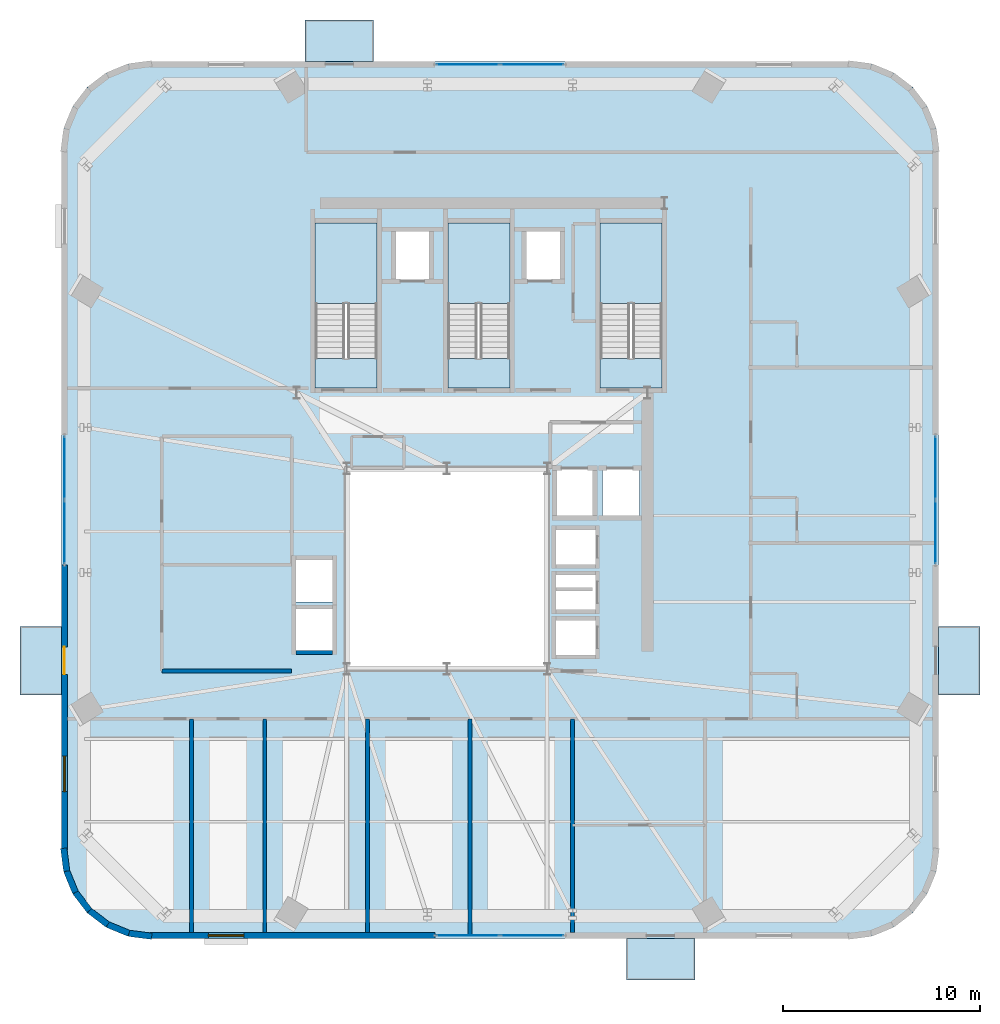
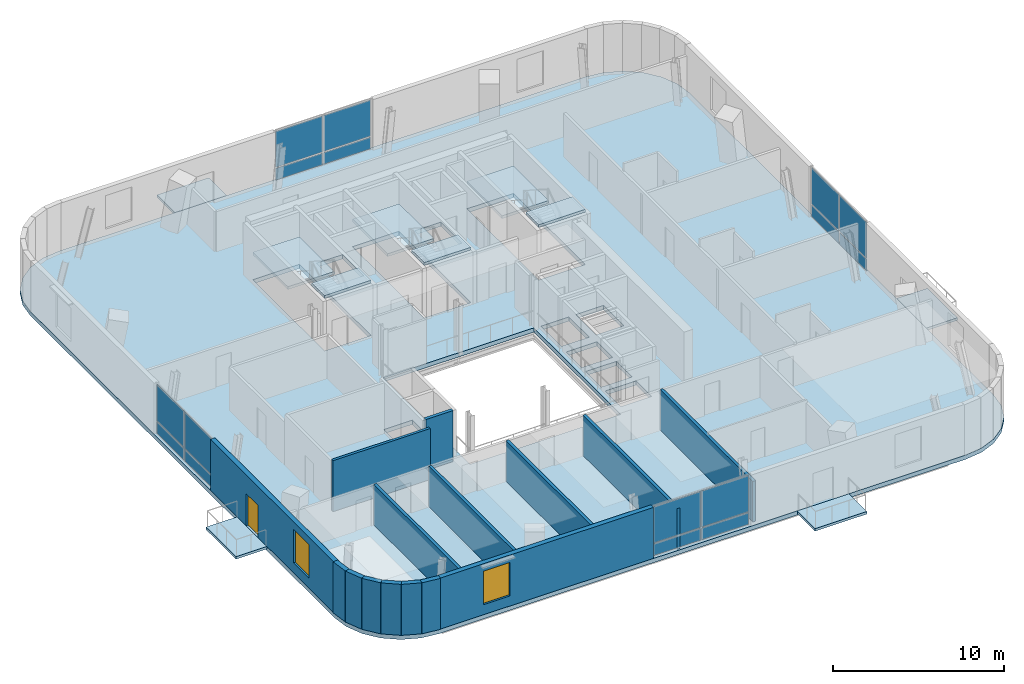
# One storey, part 7 of 15: 16 plates, 15 walls, 11 slabs, 2 windows, 1 door, 3 openings, 7 elements without a shape of their own.
"""IFC4 building model written with IfcOpenShell, lengths in metres."""

from ifc_helpers import new_model, si_unit, direction, frame, frame_2d, origin, origin_2d, place, context, subcontext, project, spatial, polyline, rectangle, outline, extrude, source, transform, mapped, material, layer, layer_set, type_object, element, fill, aggregate, save


model = new_model("IFC4")

# Units and contexts
model_context = context("Model", 3, precision=1e-05, world=origin(), true_north=direction((0.0, 1.0)))
body_context = subcontext(model_context, "Body", "Model", "MODEL_VIEW")
ifc_project = project(units=[si_unit("LENGTHUNIT", "METRE"), si_unit("AREAUNIT", "SQUARE_METRE"), si_unit("VOLUMEUNIT", "CUBIC_METRE"), si_unit("PLANEANGLEUNIT", "RADIAN"), si_unit("MASSUNIT", "GRAM", prefix="KILO")], contexts=[model_context])

# Site, building, storey
site_placement = place(None, origin())
site = spatial("IfcSite", under=ifc_project, at=site_placement, CompositionType="ELEMENT")
building_placement = place(site_placement, origin())
building = spatial("IfcBuilding", under=site, at=building_placement, Name="Vardaveli Station Tower", CompositionType="ELEMENT")
storey_placement = place(building_placement, frame((0.0, 0.0, 262.449951171875)))
storey = spatial("IfcBuildingStorey", under=building, at=storey_placement, Name="L67", CompositionType="ELEMENT", Elevation=262.449951171875)

# Stair, slabs
ifc_material_1 = material(Name="Concrete C40/50", Category="concrete")
stair_type = type_object("IfcStairType", Name="STR-CORE-1500", PredefinedType="HALF_TURN_STAIR", material=ifc_material_1)
stair_1_placement = place(storey_placement, origin())
stair_1 = element("IfcStair", 1, at=stair_1_placement, inside=storey, type_object=stair_type, Name="L67 ST-1", PredefinedType="HALF_TURN_STAIR")
ifc_layer_1 = layer(ifc_material_1, 0.199951171875, Name="Concrete C40/50")
ifc_layer_set_1 = layer_set([ifc_layer_1], Name="Concrete C40/50")
slab_type_1 = type_object("IfcSlabType", Name="SLB-LAND-200", PredefinedType="LANDING", material=ifc_layer_set_1)
slab_1_placement = place(storey_placement, frame((0.0, 0.0, 1.775146484375)))
slab_1 = element("IfcSlab", 2, at=slab_1_placement, type_object=slab_type_1, Name="ST-1 landing 1", PredefinedType="LANDING", context=body_context, shape_type="SweptSolid", body=[
    extrude(outline(polyline([(32.75, 35.199951171875), (32.75, 39.300048828125), (29.60009765625, 39.300048828125), (29.60009765625, 35.199951171875), (32.75, 35.199951171875)])), origin(), (0.0, 0.0, 1.0), 0.199951171875),
])
slab_2_placement = place(storey_placement, frame((0.0, 0.0, 3.75)))
slab_2 = element("IfcSlab", 3, at=slab_2_placement, type_object=slab_type_1, Name="ST-1 landing 2", PredefinedType="LANDING", context=body_context, shape_type="SweptSolid", body=[
    extrude(outline(polyline([(32.75, 30.89990234375), (32.75, 32.39990234375), (29.60009765625, 32.39990234375), (29.60009765625, 30.89990234375), (32.75, 30.89990234375)])), origin(), (0.0, 0.0, 1.0), 0.199951171875),
])
aggregate(stair_1, [slab_1, slab_2])

stair_2_placement = place(storey_placement, origin())
stair_2 = element("IfcStair", 4, at=stair_2_placement, inside=storey, type_object=stair_type, Name="L67 ST-2", PredefinedType="HALF_TURN_STAIR")
slab_3_placement = place(storey_placement, frame((0.0, 0.0, 1.775146484375)))
slab_3 = element("IfcSlab", 5, at=slab_3_placement, type_object=slab_type_1, Name="ST-2 landing 1", PredefinedType="LANDING", context=body_context, shape_type="SweptSolid", body=[
    extrude(outline(polyline([(39.5, 35.199951171875), (39.5, 39.300048828125), (36.35009765625, 39.300048828125), (36.35009765625, 35.199951171875), (39.5, 35.199951171875)])), origin(), (0.0, 0.0, 1.0), 0.199951171875),
])
slab_4_placement = place(storey_placement, frame((0.0, 0.0, 3.75)))
slab_4 = element("IfcSlab", 6, at=slab_4_placement, type_object=slab_type_1, Name="ST-2 landing 2", PredefinedType="LANDING", context=body_context, shape_type="SweptSolid", body=[
    extrude(outline(polyline([(39.5, 30.89990234375), (39.5, 32.39990234375), (36.35009765625, 32.39990234375), (36.35009765625, 30.89990234375), (39.5, 30.89990234375)])), origin(), (0.0, 0.0, 1.0), 0.199951171875),
])
aggregate(stair_2, [slab_3, slab_4])

stair_3_placement = place(storey_placement, origin())
stair_3 = element("IfcStair", 7, at=stair_3_placement, inside=storey, type_object=stair_type, Name="L67 ST-3", PredefinedType="HALF_TURN_STAIR")
slab_5_placement = place(storey_placement, frame((0.0, 0.0, 1.775146484375)))
slab_5 = element("IfcSlab", 8, at=slab_5_placement, type_object=slab_type_1, Name="ST-3 landing 1", PredefinedType="LANDING", context=body_context, shape_type="SweptSolid", body=[
    extrude(outline(polyline([(47.25, 35.199951171875), (47.25, 39.300048828125), (44.10009765625, 39.300048828125), (44.10009765625, 35.199951171875), (47.25, 35.199951171875)])), origin(), (0.0, 0.0, 1.0), 0.199951171875),
])
slab_6_placement = place(storey_placement, frame((0.0, 0.0, 3.75)))
slab_6 = element("IfcSlab", 9, at=slab_6_placement, type_object=slab_type_1, Name="ST-3 landing 2", PredefinedType="LANDING", context=body_context, shape_type="SweptSolid", body=[
    extrude(outline(polyline([(47.25, 30.89990234375), (47.25, 32.39990234375), (44.10009765625, 32.39990234375), (44.10009765625, 30.89990234375), (47.25, 30.89990234375)])), origin(), (0.0, 0.0, 1.0), 0.199951171875),
])
aggregate(stair_3, [slab_5, slab_6])

# Slabs
ifc_material_2 = material(Name="Precast concrete C45/55", Category="concrete")
ifc_layer_2 = layer(ifc_material_2, 0.179931640625, Name="Precast concrete C45/55")
ifc_layer_set_2 = layer_set([ifc_layer_2], Name="Precast concrete C45/55")
slab_type_2 = type_object("IfcSlabType", Name="SLB-LOGGIA-180", PredefinedType="FLOOR", material=ifc_layer_set_2)
slab_7_placement = place(storey_placement, frame((0.0, 0.0, -0.179931640625)))
element("IfcSlab", 10, at=slab_7_placement, inside=storey, type_object=slab_type_2, Name="LOG-L67-S", PredefinedType="FLOOR", context=body_context, shape_type="SweptSolid", body=[
    extrude(outline(polyline([(45.4248046875, 0.780029296875), (48.9248046875, 0.780029296875), (48.9248046875, 2.8798828125), (45.4248046875, 2.8798828125), (45.4248046875, 0.780029296875)])), origin(), (0.0, 0.0, 1.0), 0.179931640625),
])
slab_8_placement = place(storey_placement, frame((0.0, 0.0, -0.179931640625)))
element("IfcSlab", 11, at=slab_8_placement, inside=storey, type_object=slab_type_2, Name="LOG-L67-N", PredefinedType="FLOOR", context=body_context, shape_type="SweptSolid", body=[
    extrude(outline(polyline([(29.0751953125, 47.52001953125), (32.5751953125, 47.52001953125), (32.5751953125, 49.6201171875), (29.0751953125, 49.6201171875), (29.0751953125, 47.52001953125)])), origin(), (0.0, 0.0, 1.0), 0.179931640625),
])
slab_9_placement = place(storey_placement, frame((0.0, 0.0, -0.179931640625)))
element("IfcSlab", 12, at=slab_9_placement, inside=storey, type_object=slab_type_2, Name="LOG-L67-W", PredefinedType="FLOOR", context=body_context, shape_type="SweptSolid", body=[
    extrude(outline(polyline([(14.580078125, 15.275146484375), (16.679931640625, 15.275146484375), (16.679931640625, 18.775146484375), (14.580078125, 18.775146484375), (14.580078125, 15.275146484375)])), origin(), (0.0, 0.0, 1.0), 0.179931640625),
])
slab_10_placement = place(storey_placement, frame((0.0, 0.0, -0.179931640625)))
element("IfcSlab", 13, at=slab_10_placement, inside=storey, type_object=slab_type_2, Name="LOG-L67-E", PredefinedType="FLOOR", context=body_context, shape_type="SweptSolid", body=[
    extrude(outline(polyline([(61.320068359375, 15.275146484375), (63.419921875, 15.275146484375), (63.419921875, 18.775146484375), (61.320068359375, 18.775146484375), (61.320068359375, 15.275146484375)])), origin(), (0.0, 0.0, 1.0), 0.179931640625),
])
ifc_material_3 = material(Name="Concrete C50/60", Category="concrete")
ifc_layer_3 = layer(ifc_material_3, 0.300048828125, Name="Concrete C50/60")
ifc_layer_set_3 = layer_set([ifc_layer_3], Name="Concrete C50/60")
slab_type_3 = type_object("IfcSlabType", Name="SLB-REF-300", PredefinedType="FLOOR", material=ifc_layer_set_3)
slab_11_placement = place(storey_placement, frame((0.0, 0.0, -0.300048828125)))
element("IfcSlab", 14, at=slab_11_placement, inside=storey, type_object=slab_type_3, Name="SLB-L67-MAIN", PredefinedType="FLOOR", context=body_context, shape_type="SweptSolid", body=[
    extrude(outline(polyline([(16.679931640625, 7.3798828125), (16.833251953125, 6.21533203125), (17.282958984375, 5.1298828125), (17.998046875, 4.197998046875), (18.929931640625, 3.48291015625), (20.015380859375, 3.033447265625), (21.179931640625, 2.8798828125), (56.820068359375, 2.8798828125), (57.984619140625, 3.033447265625), (59.070068359375, 3.48291015625), (60.001953125, 4.197998046875), (60.717041015625, 5.1298828125), (61.166748046875, 6.21533203125), (61.320068359375, 7.3798828125), (61.320068359375, 43.02001953125), (61.166748046875, 44.1845703125), (60.717041015625, 45.27001953125), (60.001953125, 46.201904296875), (59.070068359375, 46.9169921875), (57.984619140625, 47.36669921875), (56.820068359375, 47.52001953125), (21.179931640625, 47.52001953125), (20.015380859375, 47.36669921875), (18.929931640625, 46.9169921875), (17.998046875, 46.201904296875), (17.282958984375, 45.27001953125), (16.833251953125, 44.1845703125), (16.679931640625, 43.02001953125), (16.679931640625, 7.3798828125)]), holes=[polyline([(31.199951171875, 16.60009765625), (41.39990234375, 16.60009765625), (41.39990234375, 26.800048828125), (31.199951171875, 26.800048828125), (31.199951171875, 16.60009765625)]), polyline([(32.75, 30.89990234375), (32.75, 39.300048828125), (29.60009765625, 39.300048828125), (29.60009765625, 30.89990234375), (32.75, 30.89990234375)]), polyline([(39.5, 30.89990234375), (39.5, 39.300048828125), (36.35009765625, 39.300048828125), (36.35009765625, 30.89990234375), (39.5, 30.89990234375)]), polyline([(47.25, 30.89990234375), (47.25, 39.300048828125), (44.10009765625, 39.300048828125), (44.10009765625, 30.89990234375), (47.25, 30.89990234375)]), polyline([(33.659912109375, 36.409912109375), (35.43994140625, 36.409912109375), (35.43994140625, 38.889892578125), (33.659912109375, 38.889892578125), (33.659912109375, 36.409912109375)]), polyline([(40.31005859375, 36.409912109375), (42.090087890625, 36.409912109375), (42.090087890625, 38.889892578125), (40.31005859375, 38.889892578125), (40.31005859375, 36.409912109375)]), polyline([(41.81005859375, 21.885009765625), (43.889892578125, 21.885009765625), (43.889892578125, 23.715087890625), (41.81005859375, 23.715087890625), (41.81005859375, 21.885009765625)]), polyline([(41.81005859375, 19.5849609375), (43.889892578125, 19.5849609375), (43.889892578125, 21.4150390625), (41.81005859375, 21.4150390625), (41.81005859375, 19.5849609375)]), polyline([(41.81005859375, 17.284912109375), (43.889892578125, 17.284912109375), (43.889892578125, 19.114990234375), (41.81005859375, 19.114990234375), (41.81005859375, 17.284912109375)]), polyline([(28.5849609375, 17.510009765625), (30.514892578125, 17.510009765625), (30.514892578125, 19.68994140625), (28.5849609375, 19.68994140625), (28.5849609375, 17.510009765625)]), polyline([(28.5849609375, 20.010009765625), (30.514892578125, 20.010009765625), (30.514892578125, 22.18994140625), (28.5849609375, 22.18994140625), (28.5849609375, 20.010009765625)]), polyline([(41.860107421875, 24.360107421875), (43.739990234375, 24.360107421875), (43.739990234375, 26.739990234375), (41.860107421875, 26.739990234375), (41.860107421875, 24.360107421875)]), polyline([(44.2099609375, 24.360107421875), (46.090087890625, 24.360107421875), (46.090087890625, 26.739990234375), (44.2099609375, 26.739990234375), (44.2099609375, 24.360107421875)])]), origin(), (0.0, 0.0, 1.0), 0.300048828125),
])

# Curtain wall, plates
ifc_material_4 = material(Name="Travertine stone and solar-control glass", Category="masonry")
curtain_wall_type = type_object("IfcCurtainWallType", Name="CW-SYS-5", PredefinedType="NOTDEFINED", material=ifc_material_4)
curtain_wall_1_placement = place(storey_placement, origin())
curtain_wall_1 = element("IfcCurtainWall", 15, at=curtain_wall_1_placement, inside=storey, type_object=curtain_wall_type, Name="CW-L67-S", PredefinedType="NOTDEFINED")
ifc_material_5 = material(Name="Double-glazed low-E solar-control glass", Category="glass")
ifc_layer_4 = layer(ifc_material_5, 0.031982421875, Name="Double-glazed low-E solar-control glass")
ifc_layer_set_4 = layer_set([ifc_layer_4], Name="Double-glazed low-E solar-control glass")
plate_type = type_object("IfcPlateType", Name="CW-SYS-5-PAN", PredefinedType="CURTAIN_PANEL", material=ifc_layer_set_4)
shared_shape_1 = source(origin(), body_context, "Body", "SweptSolid", [
    extrude(rectangle(XDim=3.179931640625, YDim=0.031982421875, at=origin_2d()), origin(), (0.0, 0.0, 1.0), 0.830078125),
])
plate_1_placement = place(storey_placement, frame((37.3701171875, 3.0400390625, 0.080078125), z_axis=(0.0, 0.0, 1.0), x_axis=(1.0, 0.0, 0.0)))
plate_1 = element("IfcPlate", 16, at=plate_1_placement, type_object=plate_type, Name="CW-5 panel 1.1", PredefinedType="CURTAIN_PANEL", context=body_context, shape_type="MappedRepresentation", body=[
    mapped(shared_shape_1, transform((0.0, 0.0, 0.0), scale=1.0)),
])
plate_2_placement = place(storey_placement, frame((40.6298828125, 3.0400390625, 0.080078125), z_axis=(0.0, 0.0, 1.0), x_axis=(1.0, 0.0, 0.0)))
plate_2 = element("IfcPlate", 17, at=plate_2_placement, type_object=plate_type, Name="CW-5 panel 2.1", PredefinedType="CURTAIN_PANEL", context=body_context, shape_type="MappedRepresentation", body=[
    mapped(shared_shape_1, transform((0.0, 0.0, 0.0), scale=1.0)),
])

curtain_wall_2_placement = place(storey_placement, origin())
curtain_wall_2 = element("IfcCurtainWall", 18, at=curtain_wall_2_placement, inside=storey, type_object=curtain_wall_type, Name="CW-L67-N", PredefinedType="NOTDEFINED")
plate_3_placement = place(storey_placement, frame((40.6298828125, 47.360107421875, 0.080078125), z_axis=(0.0, 0.0, 1.0), x_axis=(-1.0, 0.0, 0.0)))
plate_3 = element("IfcPlate", 19, at=plate_3_placement, type_object=plate_type, Name="CW-5 panel 1.1", PredefinedType="CURTAIN_PANEL", context=body_context, shape_type="MappedRepresentation", body=[
    mapped(shared_shape_1, transform((0.0, 0.0, 0.0), scale=1.0)),
])
plate_4_placement = place(storey_placement, frame((37.3701171875, 47.360107421875, 0.080078125), z_axis=(0.0, 0.0, 1.0), x_axis=(-1.0, 0.0, 0.0)))
plate_4 = element("IfcPlate", 20, at=plate_4_placement, type_object=plate_type, Name="CW-5 panel 2.1", PredefinedType="CURTAIN_PANEL", context=body_context, shape_type="MappedRepresentation", body=[
    mapped(shared_shape_1, transform((0.0, 0.0, 0.0), scale=1.0)),
])

curtain_wall_3_placement = place(storey_placement, origin())
curtain_wall_3 = element("IfcCurtainWall", 21, at=curtain_wall_3_placement, inside=storey, type_object=curtain_wall_type, Name="CW-L67-W", PredefinedType="NOTDEFINED")
plate_5_placement = place(storey_placement, frame((16.840087890625, 26.830078125, 0.080078125), z_axis=(0.0, 0.0, 1.0), x_axis=(0.0, -1.0, 0.0)))
plate_5 = element("IfcPlate", 22, at=plate_5_placement, type_object=plate_type, Name="CW-5 panel 1.1", PredefinedType="CURTAIN_PANEL", context=body_context, shape_type="MappedRepresentation", body=[
    mapped(shared_shape_1, transform((0.0, 0.0, 0.0), scale=1.0)),
])
plate_6_placement = place(storey_placement, frame((16.840087890625, 23.570068359375, 0.080078125), z_axis=(0.0, 0.0, 1.0), x_axis=(0.0, -1.0, 0.0)))
plate_6 = element("IfcPlate", 23, at=plate_6_placement, type_object=plate_type, Name="CW-5 panel 2.1", PredefinedType="CURTAIN_PANEL", context=body_context, shape_type="MappedRepresentation", body=[
    mapped(shared_shape_1, transform((0.0, 0.0, 0.0), scale=1.0)),
])

curtain_wall_4_placement = place(storey_placement, origin())
curtain_wall_4 = element("IfcCurtainWall", 24, at=curtain_wall_4_placement, inside=storey, type_object=curtain_wall_type, Name="CW-L67-E", PredefinedType="NOTDEFINED")
plate_7_placement = place(storey_placement, frame((61.159912109375, 23.570068359375, 0.080078125), z_axis=(0.0, 0.0, 1.0), x_axis=(0.0, 1.0, 0.0)))
plate_7 = element("IfcPlate", 25, at=plate_7_placement, type_object=plate_type, Name="CW-5 panel 1.1", PredefinedType="CURTAIN_PANEL", context=body_context, shape_type="MappedRepresentation", body=[
    mapped(shared_shape_1, transform((0.0, 0.0, 0.0), scale=1.0)),
])
plate_8_placement = place(storey_placement, frame((61.159912109375, 26.830078125, 0.080078125), z_axis=(0.0, 0.0, 1.0), x_axis=(0.0, 1.0, 0.0)))
plate_8 = element("IfcPlate", 26, at=plate_8_placement, type_object=plate_type, Name="CW-5 panel 2.1", PredefinedType="CURTAIN_PANEL", context=body_context, shape_type="MappedRepresentation", body=[
    mapped(shared_shape_1, transform((0.0, 0.0, 0.0), scale=1.0)),
])

# Plate
shared_shape_2 = source(origin(), body_context, "Body", "SweptSolid", [
    extrude(rectangle(XDim=3.179931640625, YDim=0.031982421875, at=origin_2d()), origin(), (0.0, 0.0, 1.0), 2.580078125),
])
plate_9_placement = place(storey_placement, frame((37.3701171875, 3.0400390625, 0.989990234375), z_axis=(0.0, 0.0, 1.0), x_axis=(1.0, 0.0, 0.0)))
plate_9 = element("IfcPlate", 27, at=plate_9_placement, type_object=plate_type, Name="CW-5 panel 1.2", PredefinedType="CURTAIN_PANEL", context=body_context, shape_type="MappedRepresentation", body=[
    mapped(shared_shape_2, transform((0.0, 0.0, 0.0), scale=1.0)),
])

plate_10_placement = place(storey_placement, frame((40.6298828125, 3.0400390625, 0.989990234375), z_axis=(0.0, 0.0, 1.0), x_axis=(1.0, 0.0, 0.0)))
plate_10 = element("IfcPlate", 28, at=plate_10_placement, type_object=plate_type, Name="CW-5 panel 2.2", PredefinedType="CURTAIN_PANEL", context=body_context, shape_type="MappedRepresentation", body=[
    mapped(shared_shape_2, transform((0.0, 0.0, 0.0), scale=1.0)),
])

aggregate(curtain_wall_1, [plate_1, plate_9, plate_2, plate_10])

plate_11_placement = place(storey_placement, frame((40.6298828125, 47.360107421875, 0.989990234375), z_axis=(0.0, 0.0, 1.0), x_axis=(-1.0, 0.0, 0.0)))
plate_11 = element("IfcPlate", 29, at=plate_11_placement, type_object=plate_type, Name="CW-5 panel 1.2", PredefinedType="CURTAIN_PANEL", context=body_context, shape_type="MappedRepresentation", body=[
    mapped(shared_shape_2, transform((0.0, 0.0, 0.0), scale=1.0)),
])

plate_12_placement = place(storey_placement, frame((37.3701171875, 47.360107421875, 0.989990234375), z_axis=(0.0, 0.0, 1.0), x_axis=(-1.0, 0.0, 0.0)))
plate_12 = element("IfcPlate", 30, at=plate_12_placement, type_object=plate_type, Name="CW-5 panel 2.2", PredefinedType="CURTAIN_PANEL", context=body_context, shape_type="MappedRepresentation", body=[
    mapped(shared_shape_2, transform((0.0, 0.0, 0.0), scale=1.0)),
])

aggregate(curtain_wall_2, [plate_3, plate_11, plate_4, plate_12])

plate_13_placement = place(storey_placement, frame((16.840087890625, 26.830078125, 0.989990234375), z_axis=(0.0, 0.0, 1.0), x_axis=(0.0, -1.0, 0.0)))
plate_13 = element("IfcPlate", 31, at=plate_13_placement, type_object=plate_type, Name="CW-5 panel 1.2", PredefinedType="CURTAIN_PANEL", context=body_context, shape_type="MappedRepresentation", body=[
    mapped(shared_shape_2, transform((0.0, 0.0, 0.0), scale=1.0)),
])

plate_14_placement = place(storey_placement, frame((16.840087890625, 23.570068359375, 0.989990234375), z_axis=(0.0, 0.0, 1.0), x_axis=(0.0, -1.0, 0.0)))
plate_14 = element("IfcPlate", 32, at=plate_14_placement, type_object=plate_type, Name="CW-5 panel 2.2", PredefinedType="CURTAIN_PANEL", context=body_context, shape_type="MappedRepresentation", body=[
    mapped(shared_shape_2, transform((0.0, 0.0, 0.0), scale=1.0)),
])

aggregate(curtain_wall_3, [plate_5, plate_13, plate_6, plate_14])

plate_15_placement = place(storey_placement, frame((61.159912109375, 23.570068359375, 0.989990234375), z_axis=(0.0, 0.0, 1.0), x_axis=(0.0, 1.0, 0.0)))
plate_15 = element("IfcPlate", 33, at=plate_15_placement, type_object=plate_type, Name="CW-5 panel 1.2", PredefinedType="CURTAIN_PANEL", context=body_context, shape_type="MappedRepresentation", body=[
    mapped(shared_shape_2, transform((0.0, 0.0, 0.0), scale=1.0)),
])

plate_16_placement = place(storey_placement, frame((61.159912109375, 26.830078125, 0.989990234375), z_axis=(0.0, 0.0, 1.0), x_axis=(0.0, 1.0, 0.0)))
plate_16 = element("IfcPlate", 34, at=plate_16_placement, type_object=plate_type, Name="CW-5 panel 2.2", PredefinedType="CURTAIN_PANEL", context=body_context, shape_type="MappedRepresentation", body=[
    mapped(shared_shape_2, transform((0.0, 0.0, 0.0), scale=1.0)),
])

aggregate(curtain_wall_4, [plate_7, plate_15, plate_8, plate_16])

# Wall, opening, window
ifc_layer_5 = layer(ifc_material_2, 0.320068359375, Name="Precast concrete C45/55")
ifc_layer_set_5 = layer_set([ifc_layer_5], Name="Precast concrete C45/55")
wall_type_1 = type_object("IfcWallType", Name="WAL-EXT-STONE-320", PredefinedType="SOLIDWALL", material=ifc_layer_set_5)
shared_shape_3 = source(origin(), body_context, "Body", "SweptSolid", [
    extrude(rectangle(XDim=14.52001953125, YDim=0.320068359375, at=frame_2d((7.260009765625, 0.0))), origin(), (0.0, 0.0, 1.0), 3.650146484375),
])
wall_1_placement = place(storey_placement, frame((21.179931640625, 3.0400390625, 0.0), z_axis=(0.0, 0.0, 1.0), x_axis=(1.0, 0.0, 0.0)))
wall_1 = element("IfcWall", 35, at=wall_1_placement, inside=storey, type_object=wall_type_1, Name="EW-L67-S1", PredefinedType="SOLIDWALL", context=body_context, shape_type="MappedRepresentation", body=[
    mapped(shared_shape_3, transform((0.0, 0.0, 0.0), scale=1.0)),
])
shared_shape_4 = source(origin(), body_context, "Body", "SweptSolid", [
    extrude(rectangle(XDim=1.800048828125, YDim=2.39990234375, at=frame_2d((0.89990234375, 1.199951171875))), frame((0.0, 0.169921875, 0.0), z_axis=(0.0, -1.0, 0.0), x_axis=(1.0, 0.0, 0.0)), (0.0, 0.0, 1.0), 0.340087890625),
])
opening_1_placement = place(wall_1_placement, frame((2.989013671875, 0.0, 0.719970703125)))
opening_1 = element("IfcOpeningElement", 36, at=opening_1_placement, cuts=wall_1, Name="Opening W-05", PredefinedType="OPENING", context=body_context, shape_type="MappedRepresentation", body=[
    mapped(shared_shape_4, transform((0.0, 0.0, 0.0), scale=1.0)),
])
ifc_material_6 = material(Name="Low-E solar-control glass", Category="glass")
window_type = type_object("IfcWindowType", Name="WIN-HIGH-1800x2400", PartitioningType="SINGLE_PANEL", PredefinedType="WINDOW", material=ifc_material_6)
shared_shape_5 = source(origin(), body_context, "Body", "SweptSolid", [
    extrude(rectangle(XDim=1.800048828125, YDim=2.39990234375, at=frame_2d((0.89990234375, 1.199951171875))), frame((0.0, 0.030029296875, 0.0), z_axis=(0.0, -1.0, 0.0), x_axis=(1.0, 0.0, 0.0)), (0.0, 0.0, 1.0), 0.06005859375),
])
window_1_placement = place(opening_1_placement, origin())
window_1 = element("IfcWindow", 37, at=window_1_placement, inside=storey, type_object=window_type, Name="WN-L67-S1", OverallHeight=2.39990234375, OverallWidth=1.800048828125, PartitioningType="SINGLE_PANEL", PredefinedType="WINDOW", context=body_context, shape_type="MappedRepresentation", body=[
    mapped(shared_shape_5, transform((0.0, 0.0, 0.0), scale=1.0)),
])
fill(opening_1, window_1)

# Wall, openings, door, window
wall_2_placement = place(storey_placement, frame((16.840087890625, 21.89990234375, 0.0), z_axis=(0.0, 0.0, 1.0), x_axis=(0.0, -1.0, 0.0)))
wall_2 = element("IfcWall", 38, at=wall_2_placement, inside=storey, type_object=wall_type_1, Name="EW-L67-W2", PredefinedType="SOLIDWALL", context=body_context, shape_type="MappedRepresentation", body=[
    mapped(shared_shape_3, transform((0.0, 0.0, 0.0), scale=1.0)),
])
shared_shape_6 = source(origin(), body_context, "Body", "SweptSolid", [
    extrude(rectangle(XDim=1.39990234375, YDim=2.300048828125, at=frame_2d((0.699951171875, 1.14990234375))), frame((0.0, 0.169921875, 0.0), z_axis=(0.0, -1.0, 0.0), x_axis=(1.0, 0.0, 0.0)), (0.0, 0.0, 1.0), 0.340087890625),
])
opening_2_placement = place(wall_2_placement, frame((4.1748046875, 0.0, 0.0)))
opening_2 = element("IfcOpeningElement", 39, at=opening_2_placement, cuts=wall_2, Name="Opening D-09", PredefinedType="OPENING", context=body_context, shape_type="MappedRepresentation", body=[
    mapped(shared_shape_6, transform((0.0, 0.0, 0.0), scale=1.0)),
])
opening_3_placement = place(wall_2_placement, frame((9.73095703125, 0.0, 0.719970703125)))
opening_3 = element("IfcOpeningElement", 40, at=opening_3_placement, cuts=wall_2, Name="Opening W-05", PredefinedType="OPENING", context=body_context, shape_type="MappedRepresentation", body=[
    mapped(shared_shape_4, transform((0.0, 0.0, 0.0), scale=1.0)),
])
ifc_material_7 = material(Name="Thermally broken aluminium glass", Category="aluminium")
door_type = type_object("IfcDoorType", Name="DR-LOG-1400x2300", OperationType="DOUBLE_DOOR_SLIDING", PredefinedType="DOOR", material=ifc_material_7)
shared_shape_7 = source(origin(), body_context, "Body", "SweptSolid", [
    extrude(rectangle(XDim=1.39990234375, YDim=2.300048828125, at=frame_2d((0.699951171875, 1.14990234375))), frame((0.0, 0.02490234375, 0.0), z_axis=(0.0, -1.0, 0.0), x_axis=(1.0, 0.0, 0.0)), (0.0, 0.0, 1.0), 0.050048828125),
])
door_placement = place(opening_2_placement, frame((1.39990234375, 0.0, 0.0), z_axis=(0.0, 0.0, 1.0), x_axis=(-1.0, 0.0, 0.0)))
door = element("IfcDoor", 41, at=door_placement, inside=storey, type_object=door_type, Name="DLG-L67-W", OperationType="DOUBLE_DOOR_SLIDING", OverallHeight=2.300048828125, OverallWidth=1.39990234375, PredefinedType="DOOR", context=body_context, shape_type="MappedRepresentation", body=[
    mapped(shared_shape_7, transform((0.0, 0.0, 0.0), scale=1.0)),
])
fill(opening_2, door)
window_2_placement = place(opening_3_placement, origin())
window_2 = element("IfcWindow", 42, at=window_2_placement, inside=storey, type_object=window_type, Name="WN-L67-W2", OverallHeight=2.39990234375, OverallWidth=1.800048828125, PartitioningType="SINGLE_PANEL", PredefinedType="WINDOW", context=body_context, shape_type="MappedRepresentation", body=[
    mapped(shared_shape_5, transform((0.0, 0.0, 0.0), scale=1.0)),
])
fill(opening_3, window_2)

# Walls
shared_shape_8 = source(origin(), body_context, "Body", "SweptSolid", [
    extrude(rectangle(XDim=1.169921875, YDim=0.320068359375, at=frame_2d((0.5849609375, 0.0))), origin(), (0.0, 0.0, 1.0), 3.650146484375),
])
for number, where, z_axis, x_axis, name in (
    (43, (16.804931640625, 7.479736328125, 0.0), (0.0, 0.0, 1.0), (0.128116992181, -0.991759061625, 0.0), "EW-L67-CR1-1"),
    (44, (20.119384765625, 3.15478515625, 0.0), (0.0, 0.0, 1.0), (0.991785553632, -0.12791174929, 0.0), "EW-L67-CR1-6"),
):
    element("IfcWall", number, at=place(storey_placement, frame(where, z_axis=z_axis, x_axis=x_axis)), inside=storey, type_object=wall_type_1, Name=name, PredefinedType="SOLIDWALL", context=body_context, shape_type="MappedRepresentation", body=[
        mapped(shared_shape_8, transform((0.0, 0.0, 0.0), scale=1.0)),
    ])
shared_shape_9 = source(origin(), body_context, "Body", "SweptSolid", [
    extrude(rectangle(XDim=1.1689453125, YDim=0.320068359375, at=frame_2d((0.58447265625, 0.0))), origin(), (0.0, 0.0, 1.0), 3.650146484375),
])
for number, where, z_axis, x_axis, name in (
    (45, (16.954833984375, 6.3193359375, 0.0), (0.0, 0.0, 1.0), (0.381127904695, -0.924522320046, 0.0), "EW-L67-CR1-2"),
    (46, (19.03857421875, 3.600341796875, 0.0), (0.0, 0.0, 1.0), (0.924522320046, -0.381127904695, 0.0), "EW-L67-CR1-5"),
):
    element("IfcWall", number, at=place(storey_placement, frame(where, z_axis=z_axis, x_axis=x_axis)), inside=storey, type_object=wall_type_1, Name=name, PredefinedType="SOLIDWALL", context=body_context, shape_type="MappedRepresentation", body=[
        mapped(shared_shape_9, transform((0.0, 0.0, 0.0), scale=1.0)),
    ])
shared_shape_10 = source(origin(), body_context, "Body", "SweptSolid", [
    extrude(rectangle(XDim=1.168212890625, YDim=0.320068359375, at=frame_2d((0.583984375, 0.0))), origin(), (0.0, 0.0, 1.0), 3.650146484375),
])
wall_3_placement = place(storey_placement, frame((17.400390625, 5.238525390625, 0.0), z_axis=(0.0, 0.0, 1.0), x_axis=(0.608326246486, -0.793687078033, 0.0)))
element("IfcWall", 47, at=wall_3_placement, inside=storey, type_object=wall_type_1, Name="EW-L67-CR1-3", PredefinedType="SOLIDWALL", context=body_context, shape_type="MappedRepresentation", body=[
    mapped(shared_shape_10, transform((0.0, 0.0, 0.0), scale=1.0)),
])
shared_shape_11 = source(origin(), body_context, "Body", "SweptSolid", [
    extrude(rectangle(XDim=1.168701171875, YDim=0.320068359375, at=frame_2d((0.58447265625, 0.0))), origin(), (0.0, 0.0, 1.0), 3.650146484375),
])
wall_4_placement = place(storey_placement, frame((18.111083984375, 4.311279296875, 0.0), z_axis=(0.0, 0.0, 1.0), x_axis=(0.793663520347, -0.608356981114, 0.0)))
element("IfcWall", 48, at=wall_4_placement, inside=storey, type_object=wall_type_1, Name="EW-L67-CR1-4", PredefinedType="SOLIDWALL", context=body_context, shape_type="MappedRepresentation", body=[
    mapped(shared_shape_11, transform((0.0, 0.0, 0.0), scale=1.0)),
])
ifc_layer_6 = layer(ifc_material_1, 0.219970703125, Name="Concrete C40/50")
ifc_layer_set_6 = layer_set([ifc_layer_6], Name="Concrete C40/50")
wall_type_2 = type_object("IfcWallType", Name="WAL-FFLOBBY-220", PredefinedType="SOLIDWALL", material=ifc_layer_set_6)
shared_shape_12 = source(origin(), body_context, "Body", "SweptSolid", [
    extrude(rectangle(XDim=1.85009765625, YDim=0.219970703125, at=frame_2d((0.925048828125, 0.0))), origin(), (0.0, 0.0, 1.0), 3.650146484375),
])
wall_5_placement = place(storey_placement, frame((28.625, 17.43994140625, 0.0), z_axis=(0.0, 0.0, 1.0), x_axis=(1.0, 0.0, 0.0)))
element("IfcWall", 49, at=wall_5_placement, inside=storey, type_object=wall_type_2, Name="SHW-OBS-01-L67-S", PredefinedType="SOLIDWALL", context=body_context, shape_type="MappedRepresentation", body=[
    mapped(shared_shape_12, transform((0.0, 0.0, 0.0), scale=1.0)),
])
ifc_material_8 = material(Name="Acoustic twin-stud gypsum partition")
ifc_layer_7 = layer(ifc_material_8, 0.199951171875, Name="Acoustic twin-stud gypsum partition")
ifc_layer_set_7 = layer_set([ifc_layer_7], Name="Acoustic twin-stud gypsum partition")
wall_type_3 = type_object("IfcWallType", Name="WAL-PARTY-200", PredefinedType="PARTITIONING", material=ifc_layer_set_7)
shared_shape_13 = source(origin(), body_context, "Body", "SweptSolid", [
    extrude(rectangle(XDim=10.8681640625, YDim=0.199951171875, at=frame_2d((5.43408203125, 0.0))), origin(), (0.0, 0.0, 1.0), 2.89208984375),
])
for number, where, z_axis, x_axis, name in (
    (50, (23.306884765625, 3.201904296875, 0.0), (0.0, 0.0, 1.0), (0.0, 1.0, 0.0), "W-L67-PS1"),
    (51, (27.030029296875, 3.201904296875, 0.0), (0.0, 0.0, 1.0), (0.0, 1.0, 0.0), "W-L67-PS2"),
    (52, (32.251953125, 3.201904296875, 0.0), (0.0, 0.0, 1.0), (0.0, 1.0, 0.0), "W-L67-PS3"),
    (53, (42.697021484375, 3.201904296875, 0.0), (0.0, 0.0, 1.0), (0.0, 1.0, 0.0), "W-L67-PS5"),
):
    element("IfcWall", number, at=place(storey_placement, frame(where, z_axis=z_axis, x_axis=x_axis)), inside=storey, type_object=wall_type_3, Name=name, PredefinedType="PARTITIONING", context=body_context, shape_type="MappedRepresentation", body=[
        mapped(shared_shape_13, transform((0.0, 0.0, 0.0), scale=1.0)),
    ])
shared_shape_14 = source(origin(), body_context, "Body", "SweptSolid", [
    extrude(rectangle(XDim=11.06005859375, YDim=0.199951171875, at=frame_2d((5.530029296875, 0.0))), origin(), (0.0, 0.0, 1.0), 2.89208984375),
])
wall_6_placement = place(storey_placement, frame((37.47509765625, 3.010009765625, 0.0), z_axis=(0.0, 0.0, 1.0), x_axis=(0.0, 1.0, 0.0)))
element("IfcWall", 54, at=wall_6_placement, inside=storey, type_object=wall_type_3, Name="W-L67-PS4", PredefinedType="PARTITIONING", context=body_context, shape_type="MappedRepresentation", body=[
    mapped(shared_shape_14, transform((0.0, 0.0, 0.0), scale=1.0)),
])
ifc_material_9 = material(Name="Fire-rated gypsum stud partition")
ifc_layer_8 = layer(ifc_material_9, 0.179931640625, Name="Fire-rated gypsum stud partition")
ifc_layer_set_8 = layer_set([ifc_layer_8], Name="Fire-rated gypsum stud partition")
wall_type_4 = type_object("IfcWallType", Name="WAL-CORR-180", PredefinedType="PARTITIONING", material=ifc_layer_set_8)
shared_shape_15 = source(origin(), body_context, "Body", "SweptSolid", [
    extrude(rectangle(XDim=6.599853515625, YDim=0.179931640625, at=frame_2d((3.2998046875, 0.0))), origin(), (0.0, 0.0, 1.0), 3.650146484375),
])
wall_7_placement = place(storey_placement, frame((21.800048828125, 16.5, 0.0), z_axis=(0.0, 0.0, 1.0), x_axis=(1.0, 0.0, 0.0)))
element("IfcWall", 55, at=wall_7_placement, inside=storey, type_object=wall_type_4, Name="W-L67-ATW1-S", PredefinedType="PARTITIONING", context=body_context, shape_type="MappedRepresentation", body=[
    mapped(shared_shape_15, transform((0.0, 0.0, 0.0), scale=1.0)),
])

save(model, "model.ifc")
